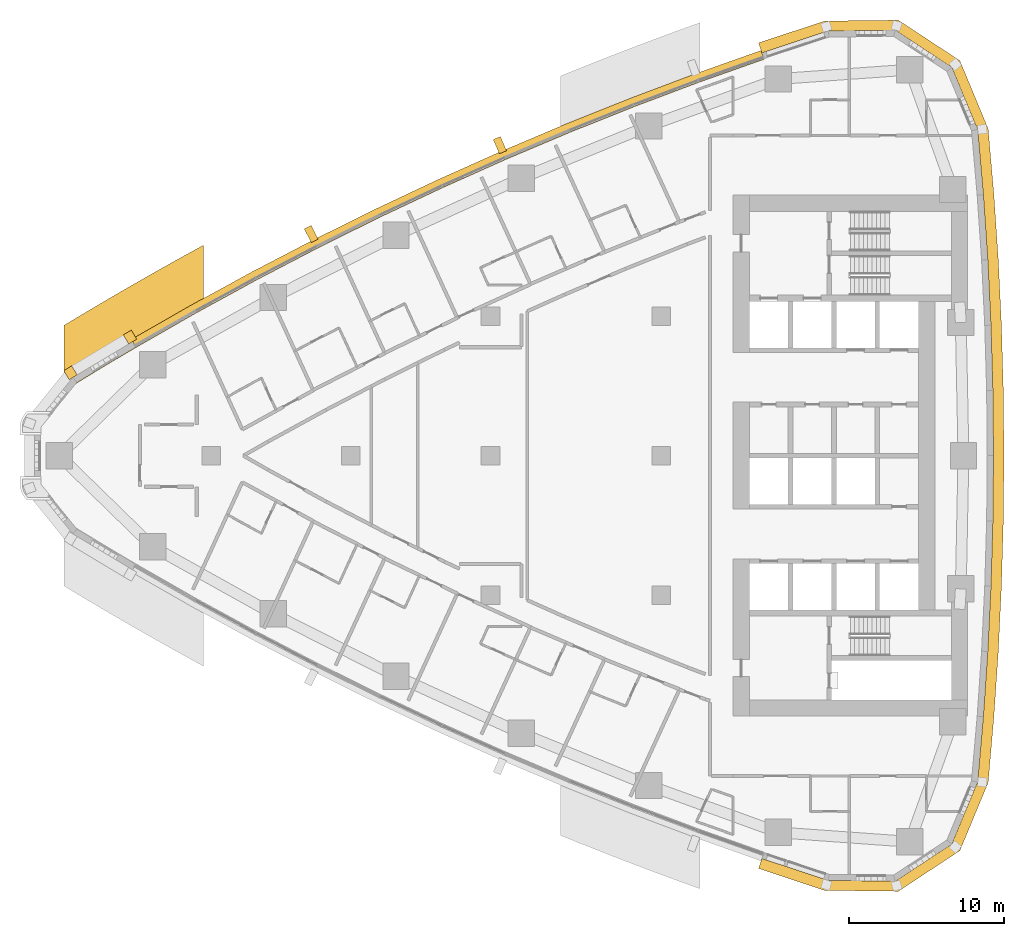
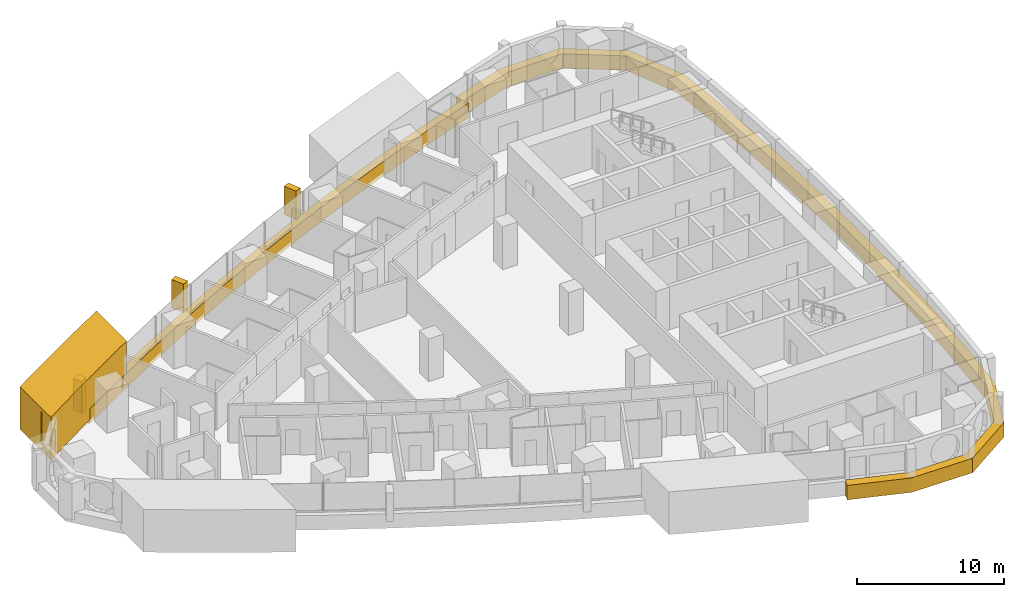
# One storey, part 16 of 17: 7 coverings.
"""IFC4 building model written with IfcOpenShell, lengths in metres."""

from ifc_helpers import new_model, si_unit, direction, frame, frame_2d, origin, place, context, subcontext, project, spatial, polyline, rectangle, outline, extrude, material, layer, layer_set, type_object, element, save


model = new_model("IFC4")

# Units and contexts
model_context = context("Model", 3, precision=1e-05, world=origin(), true_north=direction((0.0, 1.0)))
body_context = subcontext(model_context, "Body", "Model", "MODEL_VIEW")
ifc_project = project(units=[si_unit("LENGTHUNIT", "METRE"), si_unit("AREAUNIT", "SQUARE_METRE"), si_unit("VOLUMEUNIT", "CUBIC_METRE"), si_unit("PLANEANGLEUNIT", "RADIAN"), si_unit("MASSUNIT", "GRAM", prefix="KILO")], contexts=[model_context])

# Site, building, storey
site_placement = place(None, origin())
site = spatial("IfcSite", under=ifc_project, at=site_placement, CompositionType="ELEMENT")
building_placement = place(site_placement, origin())
building = spatial("IfcBuilding", under=site, at=building_placement, Name="Ostrand Prow Hotel Tower", CompositionType="ELEMENT")
storey_placement = place(building_placement, frame((0.0, 0.0, 116.85009765625)))
storey = spatial("IfcBuildingStorey", under=building, at=storey_placement, Name="L28", CompositionType="ELEMENT", Elevation=116.85009765625)

# Coverings
ifc_material_1 = material(Name="Bronze anodised aluminium cladding", Category="aluminium")
ifc_layer_1 = layer(ifc_material_1, 0.60009765625)
ifc_layer_set_1 = layer_set([ifc_layer_1], Name="Bronze anodised aluminium cladding")
covering_type_1 = type_object("IfcCoveringType", Name="Bronze spandrel band 1200x600", PredefinedType="CLADDING", material=ifc_layer_set_1)
covering_1_placement = place(storey_placement, frame((0.0, 0.0, -0.300048828125)))
element("IfcCovering", 1, at=covering_1_placement, inside=storey, type_object=covering_type_1, Name="Spandrel band N1", PredefinedType="CLADDING", context=body_context, shape_type="SweptSolid", body=[
    extrude(outline(polyline([(51.4501953125, 26.1328125), (47.231201171875, 24.64013671875), (43.042724609375, 23.0634765625), (38.88671875, 21.4033203125), (34.764892578125, 19.659912109375), (30.6787109375, 17.834716796875), (26.6298828125, 15.927734375), (22.620361328125, 13.940185546875), (18.651123046875, 11.872802734375), (14.72412109375, 9.726318359375), (10.841064453125, 7.50146484375), (11.144287109375, 6.98388671875), (15.01708984375, 9.20263671875), (18.93359375, 11.343505859375), (22.89208984375, 13.4052734375), (26.89111328125, 15.3876953125), (30.928955078125, 17.289306640625), (35.004150390625, 19.10986328125), (39.114990234375, 20.848388671875), (43.259765625, 22.504150390625), (47.43701171875, 24.076416015625), (51.644775390625, 25.56494140625), (51.4501953125, 26.1328125)])), origin(), (0.0, 0.0, 1.0), 1.199951171875),
])
covering_2_placement = place(storey_placement, frame((0.0, 0.0, -0.300048828125)))
element("IfcCovering", 2, at=covering_2_placement, inside=storey, type_object=covering_type_1, Name="Spandrel band back 1", PredefinedType="CLADDING", context=body_context, shape_type="SweptSolid", body=[
    extrude(outline(polyline([(51.28369140625, -26.619384765625), (55.54150390625, -28.0302734375), (60.2958984375, -28.09033203125), (64.267578125, -25.476806640625), (66.09326171875, -21.086669921875), (66.460693359375, -16.87890625), (66.74658203125, -12.664794921875), (66.950927734375, -8.44580078125), (67.073486328125, -4.2236328125), (67.114501953125, 0.0), (67.073486328125, 4.2236328125), (66.950927734375, 8.44580078125), (66.74658203125, 12.664794921875), (66.460693359375, 16.87890625), (66.09326171875, 21.086669921875), (64.267578125, 25.476806640625), (60.2958984375, 28.09033203125), (55.54150390625, 28.0302734375), (51.28369140625, 26.619384765625), (51.50390625, 25.97607421875), (55.7490234375, 27.3828125), (60.104736328125, 27.437744140625), (63.74365234375, 25.043212890625), (65.41650390625, 21.02099609375), (65.78271484375, 16.826416015625), (66.067626953125, 12.625244140625), (66.271484375, 8.41943359375), (66.393798828125, 4.21044921875), (66.434326171875, 0.0), (66.393798828125, -4.21044921875), (66.271484375, -8.41943359375), (66.067626953125, -12.625244140625), (65.78271484375, -16.826416015625), (65.41650390625, -21.02099609375), (63.74365234375, -25.043212890625), (60.104736328125, -27.437744140625), (55.7490234375, -27.3828125), (51.50390625, -25.97607421875), (51.28369140625, -26.619384765625)])), origin(), (0.0, 0.0, 1.0), 1.199951171875),
])
ifc_material_2 = material(Name="Limestone cladding", Category="masonry")
ifc_layer_2 = layer(ifc_material_2, 5.0)
ifc_layer_set_2 = layer_set([ifc_layer_2], Name="Limestone cladding")
covering_type_2 = type_object("IfcCoveringType", Name="Portal jamb pilaster limestone", PredefinedType="CLADDING", material=ifc_layer_set_2)
covering_3_placement = place(storey_placement, origin())
element("IfcCovering", 3, at=covering_3_placement, inside=storey, type_object=covering_type_2, Name="Portal jamb NA L28", PredefinedType="CLADDING", context=body_context, shape_type="SweptSolid", body=[
    extrude(outline(polyline([(6.5, 4.184326171875), (7.5, 4.80029296875), (8.5, 5.40869140625), (9.5, 6.01025390625), (10.5, 6.6044921875), (11.5, 7.19189453125), (12.5, 7.772216796875), (13.5, 8.345703125), (14.5, 8.912353515625), (15.5, 9.47216796875), (15.5, 13.581787109375), (14.5, 13.03369140625), (13.5, 12.478759765625), (12.5, 11.91748046875), (11.5, 11.349365234375), (10.5, 10.7744140625), (9.5, 10.19287109375), (8.5, 9.604248046875), (7.5, 9.0087890625), (6.5, 8.40625), (6.5, 4.184326171875)])), origin(), (0.0, 0.0, 1.0), 3.5498046875),
])
ifc_material_3 = material(Name="Limestone cladding", Category="masonry")
ifc_layer_3 = layer(ifc_material_3, 0.5)
ifc_layer_set_3 = layer_set([ifc_layer_3], Name="Limestone cladding")
covering_type_3 = type_object("IfcCoveringType", Name="Precast stone fin 500x900", PredefinedType="CLADDING", material=ifc_layer_set_3)
covering_4_placement = place(storey_placement, frame((34.8046875, 19.568359375, 0.89990234375), z_axis=(0.0, 0.0, 1.0), x_axis=(-0.398717183359, 0.917073937965, 0.0)))
element("IfcCovering", 4, at=covering_4_placement, inside=storey, type_object=covering_type_3, Name="Stone fin N 5", PredefinedType="CLADDING", context=body_context, shape_type="SweptSolid", body=[
    extrude(rectangle(XDim=1.0, YDim=0.5, at=frame_2d((0.5, 0.0))), origin(), (0.0, 0.0, 1.0), 2.35009765625),
])
covering_5_placement = place(storey_placement, frame((22.66552734375, 13.85107421875, 0.89990234375), z_axis=(0.0, 0.0, 1.0), x_axis=(-0.453062569589, 0.891478719902, 0.0)))
element("IfcCovering", 5, at=covering_5_placement, inside=storey, type_object=covering_type_3, Name="Stone fin N 8", PredefinedType="CLADDING", context=body_context, shape_type="SweptSolid", body=[
    extrude(rectangle(XDim=1.000244140625, YDim=0.5, at=frame_2d((0.5, 0.0))), origin(), (0.0, 0.0, 1.0), 2.35009765625),
])
ifc_material_4 = material(Name="Limestone cladding", Category="masonry")
ifc_layer_4 = layer(ifc_material_4, 0.60009765625)
ifc_layer_set_4 = layer_set([ifc_layer_4], Name="Limestone cladding")
covering_type_4 = type_object("IfcCoveringType", Name="Precast stone prow rib 600x600", PredefinedType="CLADDING", material=ifc_layer_set_4)
covering_6_placement = place(storey_placement, frame((10.9248046875, 7.358642578125, 0.599853515625), z_axis=(0.0, 0.0, 1.0), x_axis=(-0.505811626043, 0.862643958397, 0.0)))
element("IfcCovering", 6, at=covering_6_placement, inside=storey, type_object=covering_type_4, Name="Stone prow rib 1", PredefinedType="CLADDING", context=body_context, shape_type="SweptSolid", body=[
    extrude(rectangle(XDim=0.68017578125, YDim=0.60009765625, at=frame_2d((0.340087890625, 0.0))), origin(), (0.0, 0.0, 1.0), 2.650146484375),
])
covering_7_placement = place(storey_placement, frame((7.089599609375, 5.058349609375, 0.599853515625), z_axis=(0.0, 0.0, 1.0), x_axis=(-0.522814637618, 0.852446394029, 0.0)))
element("IfcCovering", 7, at=covering_7_placement, inside=storey, type_object=covering_type_4, Name="Stone prow rib 2", PredefinedType="CLADDING", context=body_context, shape_type="SweptSolid", body=[
    extrude(rectangle(XDim=0.679931640625, YDim=0.60009765625, at=frame_2d((0.33984375, 0.0))), origin(), (0.0, 0.0, 1.0), 2.650146484375),
])

save(model, "model.ifc")
